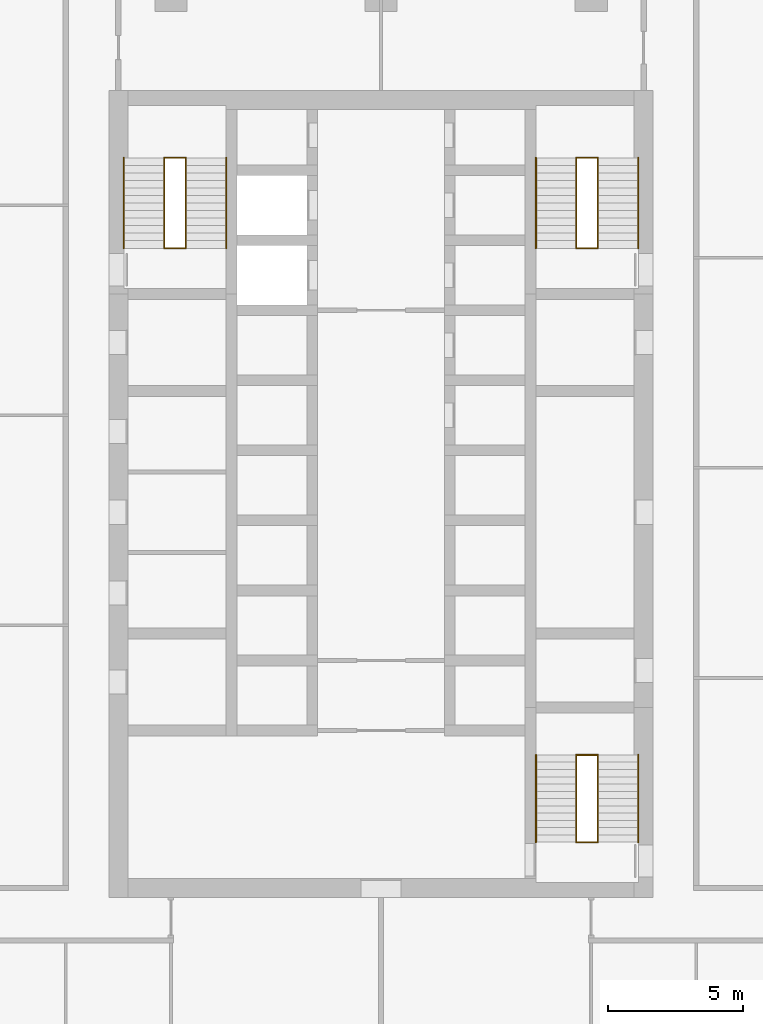
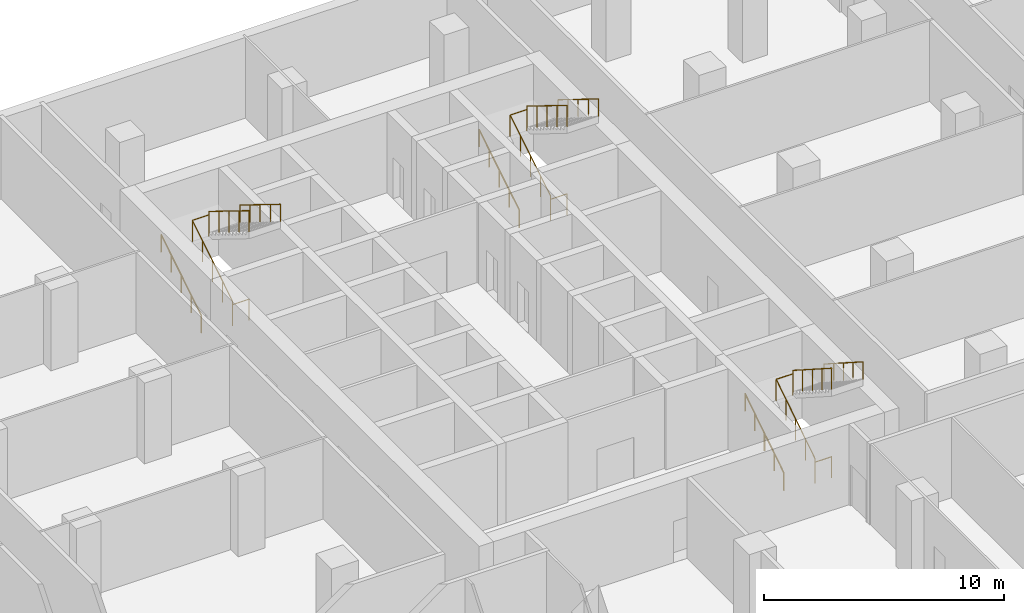
# One storey, part 14 of 14: 18 railings, 3 elements without a shape of their own.
"""IFC4 building model written with IfcOpenShell, lengths in metres."""

from ifc_helpers import new_model, si_unit, direction, frame, origin, origin_2d, place, context, subcontext, project, spatial, circle, extrude, material, type_object, element, aggregate, save


model = new_model("IFC4")

# Units and contexts
model_context = context("Model", 3, precision=1e-05, world=origin(), true_north=direction((0.0, 1.0)))
body_context = subcontext(model_context, "Body", "Model", "MODEL_VIEW")
ifc_project = project(units=[si_unit("LENGTHUNIT", "METRE"), si_unit("AREAUNIT", "SQUARE_METRE"), si_unit("VOLUMEUNIT", "CUBIC_METRE"), si_unit("PLANEANGLEUNIT", "RADIAN"), si_unit("MASSUNIT", "GRAM", prefix="KILO")], contexts=[model_context])

# Site, building, storey
site_placement = place(None, origin())
site = spatial("IfcSite", under=ifc_project, at=site_placement, CompositionType="ELEMENT")
building_placement = place(site_placement, origin())
building = spatial("IfcBuilding", under=site, at=building_placement, Name="Ludao Terraces", CompositionType="ELEMENT")
storey_placement = place(building_placement, frame((0.0, 0.0, -4.5)))
storey = spatial("IfcBuildingStorey", under=building, at=storey_placement, Name="B1", CompositionType="ELEMENT", Elevation=-4.5)

# Stair, railings
ifc_material_1 = material(Name="Concrete C40", Category="concrete")
stair_type = type_object("IfcStairType", Name="INT Stair", PredefinedType="HALF_TURN_STAIR", material=ifc_material_1)
stair_1_placement = place(storey_placement, origin())
stair_1 = element("IfcStair", 1, at=stair_1_placement, inside=storey, type_object=stair_type, Name="EXIT STAIR 1", PredefinedType="HALF_TURN_STAIR")
ifc_material_2 = material(Name="Stainless steel 304", Category="steel")
railing_type_1 = type_object("IfcRailingType", Name="INT Stair guard 1100", PredefinedType="GUARDRAIL", material=ifc_material_2)
railing_1_placement = place(storey_placement, frame((76.949951171875, 79.0, 0.173095703125)))
railing_1 = element("IfcRailing", 2, at=railing_1_placement, type_object=railing_type_1, Name="ST-B1-S1-R1G", PredefinedType="GUARDRAIL", context=body_context, shape_type="SweptSolid", body=[
    extrude(circle(Radius=0.02392578125, at=origin_2d()), frame((0.0, 0.0, 1.076171875), z_axis=(0.0, 0.850623216509, 0.525775754039), x_axis=(-1.0, 0.0, 0.0)), (0.0, 0.0, 1.0), 3.9501953125),
    extrude(circle(Radius=0.02099609375, at=origin_2d()), origin(), (0.0, 0.0, 1.0), 1.052001953125),
    extrude(circle(Radius=0.02099609375, at=origin_2d()), frame((0.0, 0.840087890625, 0.519287109375)), (0.0, 0.0, 1.0), 1.052001953125),
    extrude(circle(Radius=0.02099609375, at=origin_2d()), frame((0.0, 1.68017578125, 1.03857421875)), (0.0, 0.0, 1.0), 1.052001953125),
    extrude(circle(Radius=0.02099609375, at=origin_2d()), frame((0.0, 2.52001953125, 1.5576171875)), (0.0, 0.0, 1.0), 1.052001953125),
    extrude(circle(Radius=0.02099609375, at=origin_2d()), frame((0.0, 3.360107421875, 2.076904296875)), (0.0, 0.0, 1.0), 1.052001953125),
])
railing_2_placement = place(storey_placement, frame((77.75, 82.360107421875, 2.423095703125)))
railing_2 = element("IfcRailing", 3, at=railing_2_placement, type_object=railing_type_1, Name="ST-B1-S1-R2G", PredefinedType="GUARDRAIL", context=body_context, shape_type="SweptSolid", body=[
    extrude(circle(Radius=0.02392578125, at=origin_2d()), frame((0.0, 0.0, 1.076171875), z_axis=(0.0, -0.850623216509, 0.525775754039), x_axis=(1.0, 0.0, 0.0)), (0.0, 0.0, 1.0), 3.9501953125),
    extrude(circle(Radius=0.02099609375, at=origin_2d()), origin(), (0.0, 0.0, 1.0), 1.052001953125),
    extrude(circle(Radius=0.02099609375, at=origin_2d()), frame((0.0, -0.840087890625, 0.519287109375)), (0.0, 0.0, 1.0), 1.052001953125),
    extrude(circle(Radius=0.02099609375, at=origin_2d()), frame((0.0, -1.68017578125, 1.03857421875)), (0.0, 0.0, 1.0), 1.052001953125),
    extrude(circle(Radius=0.02099609375, at=origin_2d()), frame((0.0, -2.52001953125, 1.5576171875)), (0.0, 0.0, 1.0), 1.052001953125),
    extrude(circle(Radius=0.02099609375, at=origin_2d()), frame((0.0, -3.360107421875, 2.076904296875)), (0.0, 0.0, 1.0), 1.052001953125),
])
railing_3_placement = place(storey_placement, frame((76.949951171875, 82.360107421875, 2.25)))
railing_3 = element("IfcRailing", 4, at=railing_3_placement, type_object=railing_type_1, Name="ST-B1-S1-E1G", PredefinedType="GUARDRAIL", context=body_context, shape_type="SweptSolid", body=[
    extrude(circle(Radius=0.02392578125, at=origin_2d()), frame((0.0, 0.0, 1.076171875), z_axis=(1.0, 0.0, 0.0), x_axis=(0.0, 1.0, 0.0)), (0.0, 0.0, 1.0), 0.800048828125),
    extrude(circle(Radius=0.02099609375, at=origin_2d()), origin(), (0.0, 0.0, 1.0), 1.052001953125),
    extrude(circle(Radius=0.02099609375, at=origin_2d()), frame((0.800048828125, 0.0, 0.0)), (0.0, 0.0, 1.0), 1.052001953125),
])
railing_4_placement = place(storey_placement, frame((76.949951171875, 79.0, 0.0)))
railing_4 = element("IfcRailing", 5, at=railing_4_placement, type_object=railing_type_1, Name="ST-B1-S1-E2G", PredefinedType="GUARDRAIL", context=body_context, shape_type="SweptSolid", body=[
    extrude(circle(Radius=0.02392578125, at=origin_2d()), frame((0.0, 0.0, 1.076171875), z_axis=(1.0, 0.0, 0.0), x_axis=(0.0, 1.0, 0.0)), (0.0, 0.0, 1.0), 0.800048828125),
    extrude(circle(Radius=0.02099609375, at=origin_2d()), origin(), (0.0, 0.0, 1.0), 1.052001953125),
    extrude(circle(Radius=0.02099609375, at=origin_2d()), frame((0.800048828125, 0.0, 0.0)), (0.0, 0.0, 1.0), 1.052001953125),
])

stair_2_placement = place(storey_placement, origin())
stair_2 = element("IfcStair", 6, at=stair_2_placement, inside=storey, type_object=stair_type, Name="EXIT STAIR 2", PredefinedType="HALF_TURN_STAIR")
railing_5_placement = place(storey_placement, frame((92.25, 79.0, 0.173095703125)))
railing_5 = element("IfcRailing", 7, at=railing_5_placement, type_object=railing_type_1, Name="ST-B1-S2-R1G", PredefinedType="GUARDRAIL", context=body_context, shape_type="SweptSolid", body=[
    extrude(circle(Radius=0.02392578125, at=origin_2d()), frame((0.0, 0.0, 1.076171875), z_axis=(0.0, 0.850623216509, 0.525775754039), x_axis=(-1.0, 0.0, 0.0)), (0.0, 0.0, 1.0), 3.9501953125),
    extrude(circle(Radius=0.02099609375, at=origin_2d()), origin(), (0.0, 0.0, 1.0), 1.052001953125),
    extrude(circle(Radius=0.02099609375, at=origin_2d()), frame((0.0, 0.840087890625, 0.519287109375)), (0.0, 0.0, 1.0), 1.052001953125),
    extrude(circle(Radius=0.02099609375, at=origin_2d()), frame((0.0, 1.68017578125, 1.03857421875)), (0.0, 0.0, 1.0), 1.052001953125),
    extrude(circle(Radius=0.02099609375, at=origin_2d()), frame((0.0, 2.52001953125, 1.5576171875)), (0.0, 0.0, 1.0), 1.052001953125),
    extrude(circle(Radius=0.02099609375, at=origin_2d()), frame((0.0, 3.360107421875, 2.076904296875)), (0.0, 0.0, 1.0), 1.052001953125),
])
railing_6_placement = place(storey_placement, frame((93.050048828125, 82.360107421875, 2.423095703125)))
railing_6 = element("IfcRailing", 8, at=railing_6_placement, type_object=railing_type_1, Name="ST-B1-S2-R2G", PredefinedType="GUARDRAIL", context=body_context, shape_type="SweptSolid", body=[
    extrude(circle(Radius=0.02392578125, at=origin_2d()), frame((0.0, 0.0, 1.076171875), z_axis=(0.0, -0.850623216509, 0.525775754039), x_axis=(1.0, 0.0, 0.0)), (0.0, 0.0, 1.0), 3.9501953125),
    extrude(circle(Radius=0.02099609375, at=origin_2d()), origin(), (0.0, 0.0, 1.0), 1.052001953125),
    extrude(circle(Radius=0.02099609375, at=origin_2d()), frame((0.0, -0.840087890625, 0.519287109375)), (0.0, 0.0, 1.0), 1.052001953125),
    extrude(circle(Radius=0.02099609375, at=origin_2d()), frame((0.0, -1.68017578125, 1.03857421875)), (0.0, 0.0, 1.0), 1.052001953125),
    extrude(circle(Radius=0.02099609375, at=origin_2d()), frame((0.0, -2.52001953125, 1.5576171875)), (0.0, 0.0, 1.0), 1.052001953125),
    extrude(circle(Radius=0.02099609375, at=origin_2d()), frame((0.0, -3.360107421875, 2.076904296875)), (0.0, 0.0, 1.0), 1.052001953125),
])
railing_7_placement = place(storey_placement, frame((92.25, 82.360107421875, 2.25)))
railing_7 = element("IfcRailing", 9, at=railing_7_placement, type_object=railing_type_1, Name="ST-B1-S2-E1G", PredefinedType="GUARDRAIL", context=body_context, shape_type="SweptSolid", body=[
    extrude(circle(Radius=0.02392578125, at=origin_2d()), frame((0.0, 0.0, 1.076171875), z_axis=(1.0, 0.0, 0.0), x_axis=(0.0, 1.0, 0.0)), (0.0, 0.0, 1.0), 0.800048828125),
    extrude(circle(Radius=0.02099609375, at=origin_2d()), origin(), (0.0, 0.0, 1.0), 1.052001953125),
    extrude(circle(Radius=0.02099609375, at=origin_2d()), frame((0.800048828125, 0.0, 0.0)), (0.0, 0.0, 1.0), 1.052001953125),
])
railing_8_placement = place(storey_placement, frame((92.25, 79.0, 0.0)))
railing_8 = element("IfcRailing", 10, at=railing_8_placement, type_object=railing_type_1, Name="ST-B1-S2-E2G", PredefinedType="GUARDRAIL", context=body_context, shape_type="SweptSolid", body=[
    extrude(circle(Radius=0.02392578125, at=origin_2d()), frame((0.0, 0.0, 1.076171875), z_axis=(1.0, 0.0, 0.0), x_axis=(0.0, 1.0, 0.0)), (0.0, 0.0, 1.0), 0.800048828125),
    extrude(circle(Radius=0.02099609375, at=origin_2d()), origin(), (0.0, 0.0, 1.0), 1.052001953125),
    extrude(circle(Radius=0.02099609375, at=origin_2d()), frame((0.800048828125, 0.0, 0.0)), (0.0, 0.0, 1.0), 1.052001953125),
])

stair_3_placement = place(storey_placement, origin())
stair_3 = element("IfcStair", 11, at=stair_3_placement, inside=storey, type_object=stair_type, Name="EXIT STAIR 3", PredefinedType="HALF_TURN_STAIR")
railing_9_placement = place(storey_placement, frame((92.25, 56.949951171875, 0.173095703125)))
railing_9 = element("IfcRailing", 12, at=railing_9_placement, type_object=railing_type_1, Name="ST-B1-S3-R1G", PredefinedType="GUARDRAIL", context=body_context, shape_type="SweptSolid", body=[
    extrude(circle(Radius=0.02392578125, at=origin_2d()), frame((0.0, 0.0, 1.076171875), z_axis=(0.0, 0.841880617004, 0.539663808971), x_axis=(-1.0, 0.0, 0.0)), (0.0, 0.0, 1.0), 3.8486328125),
    extrude(circle(Radius=0.02099609375, at=origin_2d()), origin(), (0.0, 0.0, 1.0), 1.052001953125),
    extrude(circle(Radius=0.02099609375, at=origin_2d()), frame((0.0, 0.81005859375, 0.519287109375)), (0.0, 0.0, 1.0), 1.052001953125),
    extrude(circle(Radius=0.02099609375, at=origin_2d()), frame((0.0, 1.6201171875, 1.03857421875)), (0.0, 0.0, 1.0), 1.052001953125),
    extrude(circle(Radius=0.02099609375, at=origin_2d()), frame((0.0, 2.429931640625, 1.5576171875)), (0.0, 0.0, 1.0), 1.052001953125),
    extrude(circle(Radius=0.02099609375, at=origin_2d()), frame((0.0, 3.239990234375, 2.076904296875)), (0.0, 0.0, 1.0), 1.052001953125),
])
railing_10_placement = place(storey_placement, frame((93.050048828125, 60.18994140625, 2.423095703125)))
railing_10 = element("IfcRailing", 13, at=railing_10_placement, type_object=railing_type_1, Name="ST-B1-S3-R2G", PredefinedType="GUARDRAIL", context=body_context, shape_type="SweptSolid", body=[
    extrude(circle(Radius=0.02392578125, at=origin_2d()), frame((0.0, 0.0, 1.076171875), z_axis=(0.0, -0.841880617004, 0.539663808971), x_axis=(1.0, 0.0, 0.0)), (0.0, 0.0, 1.0), 3.8486328125),
    extrude(circle(Radius=0.02099609375, at=origin_2d()), origin(), (0.0, 0.0, 1.0), 1.052001953125),
    extrude(circle(Radius=0.02099609375, at=origin_2d()), frame((0.0, -0.81005859375, 0.519287109375)), (0.0, 0.0, 1.0), 1.052001953125),
    extrude(circle(Radius=0.02099609375, at=origin_2d()), frame((0.0, -1.6201171875, 1.03857421875)), (0.0, 0.0, 1.0), 1.052001953125),
    extrude(circle(Radius=0.02099609375, at=origin_2d()), frame((0.0, -2.429931640625, 1.5576171875)), (0.0, 0.0, 1.0), 1.052001953125),
    extrude(circle(Radius=0.02099609375, at=origin_2d()), frame((0.0, -3.239990234375, 2.076904296875)), (0.0, 0.0, 1.0), 1.052001953125),
])
railing_11_placement = place(storey_placement, frame((92.25, 60.18994140625, 2.25)))
railing_11 = element("IfcRailing", 14, at=railing_11_placement, type_object=railing_type_1, Name="ST-B1-S3-E1G", PredefinedType="GUARDRAIL", context=body_context, shape_type="SweptSolid", body=[
    extrude(circle(Radius=0.02392578125, at=origin_2d()), frame((0.0, 0.0, 1.076171875), z_axis=(1.0, 0.0, 0.0), x_axis=(0.0, 1.0, 0.0)), (0.0, 0.0, 1.0), 0.800048828125),
    extrude(circle(Radius=0.02099609375, at=origin_2d()), origin(), (0.0, 0.0, 1.0), 1.052001953125),
    extrude(circle(Radius=0.02099609375, at=origin_2d()), frame((0.800048828125, 0.0, 0.0)), (0.0, 0.0, 1.0), 1.052001953125),
])
railing_12_placement = place(storey_placement, frame((92.25, 56.949951171875, 0.0)))
railing_12 = element("IfcRailing", 15, at=railing_12_placement, type_object=railing_type_1, Name="ST-B1-S3-E2G", PredefinedType="GUARDRAIL", context=body_context, shape_type="SweptSolid", body=[
    extrude(circle(Radius=0.02392578125, at=origin_2d()), frame((0.0, 0.0, 1.076171875), z_axis=(1.0, 0.0, 0.0), x_axis=(0.0, 1.0, 0.0)), (0.0, 0.0, 1.0), 0.800048828125),
    extrude(circle(Radius=0.02099609375, at=origin_2d()), origin(), (0.0, 0.0, 1.0), 1.052001953125),
    extrude(circle(Radius=0.02099609375, at=origin_2d()), frame((0.800048828125, 0.0, 0.0)), (0.0, 0.0, 1.0), 1.052001953125),
])

# Railing
railing_type_2 = type_object("IfcRailingType", Name="INT Stair handrail 900", PredefinedType="HANDRAIL", material=ifc_material_2)
railing_13_placement = place(storey_placement, frame((75.449951171875, 79.0, 0.173095703125)))
railing_13 = element("IfcRailing", 16, at=railing_13_placement, type_object=railing_type_2, Name="ST-B1-S1-R1H", PredefinedType="HANDRAIL", context=body_context, shape_type="SweptSolid", body=[
    extrude(circle(Radius=0.02392578125, at=origin_2d()), frame((0.0, 0.0, 0.8759765625), z_axis=(0.0, 0.850623216509, 0.525775754039), x_axis=(-1.0, 0.0, 0.0)), (0.0, 0.0, 1.0), 3.9501953125),
    extrude(circle(Radius=0.02099609375, at=origin_2d()), origin(), (0.0, 0.0, 1.0), 0.851806640625),
    extrude(circle(Radius=0.02099609375, at=origin_2d()), frame((0.0, 0.840087890625, 0.519287109375)), (0.0, 0.0, 1.0), 0.851806640625),
    extrude(circle(Radius=0.02099609375, at=origin_2d()), frame((0.0, 1.68017578125, 1.03857421875)), (0.0, 0.0, 1.0), 0.851806640625),
    extrude(circle(Radius=0.02099609375, at=origin_2d()), frame((0.0, 2.52001953125, 1.5576171875)), (0.0, 0.0, 1.0), 0.851806640625),
    extrude(circle(Radius=0.02099609375, at=origin_2d()), frame((0.0, 3.360107421875, 2.076904296875)), (0.0, 0.0, 1.0), 0.851806640625),
])

railing_14_placement = place(storey_placement, frame((79.25, 82.360107421875, 2.423095703125)))
railing_14 = element("IfcRailing", 17, at=railing_14_placement, type_object=railing_type_2, Name="ST-B1-S1-R2H", PredefinedType="HANDRAIL", context=body_context, shape_type="SweptSolid", body=[
    extrude(circle(Radius=0.02392578125, at=origin_2d()), frame((0.0, 0.0, 0.8759765625), z_axis=(0.0, -0.850623216509, 0.525775754039), x_axis=(1.0, 0.0, 0.0)), (0.0, 0.0, 1.0), 3.9501953125),
    extrude(circle(Radius=0.02099609375, at=origin_2d()), origin(), (0.0, 0.0, 1.0), 0.851806640625),
    extrude(circle(Radius=0.02099609375, at=origin_2d()), frame((0.0, -0.840087890625, 0.519287109375)), (0.0, 0.0, 1.0), 0.851806640625),
    extrude(circle(Radius=0.02099609375, at=origin_2d()), frame((0.0, -1.68017578125, 1.03857421875)), (0.0, 0.0, 1.0), 0.851806640625),
    extrude(circle(Radius=0.02099609375, at=origin_2d()), frame((0.0, -2.52001953125, 1.5576171875)), (0.0, 0.0, 1.0), 0.851806640625),
    extrude(circle(Radius=0.02099609375, at=origin_2d()), frame((0.0, -3.360107421875, 2.076904296875)), (0.0, 0.0, 1.0), 0.851806640625),
])

aggregate(stair_1, [railing_1, railing_13, railing_2, railing_14, railing_3, railing_4])

railing_15_placement = place(storey_placement, frame((90.75, 79.0, 0.173095703125)))
railing_15 = element("IfcRailing", 18, at=railing_15_placement, type_object=railing_type_2, Name="ST-B1-S2-R1H", PredefinedType="HANDRAIL", context=body_context, shape_type="SweptSolid", body=[
    extrude(circle(Radius=0.02392578125, at=origin_2d()), frame((0.0, 0.0, 0.8759765625), z_axis=(0.0, 0.850623216509, 0.525775754039), x_axis=(-1.0, 0.0, 0.0)), (0.0, 0.0, 1.0), 3.9501953125),
    extrude(circle(Radius=0.02099609375, at=origin_2d()), origin(), (0.0, 0.0, 1.0), 0.851806640625),
    extrude(circle(Radius=0.02099609375, at=origin_2d()), frame((0.0, 0.840087890625, 0.519287109375)), (0.0, 0.0, 1.0), 0.851806640625),
    extrude(circle(Radius=0.02099609375, at=origin_2d()), frame((0.0, 1.68017578125, 1.03857421875)), (0.0, 0.0, 1.0), 0.851806640625),
    extrude(circle(Radius=0.02099609375, at=origin_2d()), frame((0.0, 2.52001953125, 1.5576171875)), (0.0, 0.0, 1.0), 0.851806640625),
    extrude(circle(Radius=0.02099609375, at=origin_2d()), frame((0.0, 3.360107421875, 2.076904296875)), (0.0, 0.0, 1.0), 0.851806640625),
])

railing_16_placement = place(storey_placement, frame((94.550048828125, 82.360107421875, 2.423095703125)))
railing_16 = element("IfcRailing", 19, at=railing_16_placement, type_object=railing_type_2, Name="ST-B1-S2-R2H", PredefinedType="HANDRAIL", context=body_context, shape_type="SweptSolid", body=[
    extrude(circle(Radius=0.02392578125, at=origin_2d()), frame((0.0, 0.0, 0.8759765625), z_axis=(0.0, -0.850623216509, 0.525775754039), x_axis=(1.0, 0.0, 0.0)), (0.0, 0.0, 1.0), 3.9501953125),
    extrude(circle(Radius=0.02099609375, at=origin_2d()), origin(), (0.0, 0.0, 1.0), 0.851806640625),
    extrude(circle(Radius=0.02099609375, at=origin_2d()), frame((0.0, -0.840087890625, 0.519287109375)), (0.0, 0.0, 1.0), 0.851806640625),
    extrude(circle(Radius=0.02099609375, at=origin_2d()), frame((0.0, -1.68017578125, 1.03857421875)), (0.0, 0.0, 1.0), 0.851806640625),
    extrude(circle(Radius=0.02099609375, at=origin_2d()), frame((0.0, -2.52001953125, 1.5576171875)), (0.0, 0.0, 1.0), 0.851806640625),
    extrude(circle(Radius=0.02099609375, at=origin_2d()), frame((0.0, -3.360107421875, 2.076904296875)), (0.0, 0.0, 1.0), 0.851806640625),
])

aggregate(stair_2, [railing_5, railing_15, railing_6, railing_16, railing_7, railing_8])

railing_17_placement = place(storey_placement, frame((90.75, 56.949951171875, 0.173095703125)))
railing_17 = element("IfcRailing", 20, at=railing_17_placement, type_object=railing_type_2, Name="ST-B1-S3-R1H", PredefinedType="HANDRAIL", context=body_context, shape_type="SweptSolid", body=[
    extrude(circle(Radius=0.02392578125, at=origin_2d()), frame((0.0, 0.0, 0.8759765625), z_axis=(0.0, 0.841880617004, 0.539663808971), x_axis=(-1.0, 0.0, 0.0)), (0.0, 0.0, 1.0), 3.8486328125),
    extrude(circle(Radius=0.02099609375, at=origin_2d()), origin(), (0.0, 0.0, 1.0), 0.851806640625),
    extrude(circle(Radius=0.02099609375, at=origin_2d()), frame((0.0, 0.81005859375, 0.519287109375)), (0.0, 0.0, 1.0), 0.851806640625),
    extrude(circle(Radius=0.02099609375, at=origin_2d()), frame((0.0, 1.6201171875, 1.03857421875)), (0.0, 0.0, 1.0), 0.851806640625),
    extrude(circle(Radius=0.02099609375, at=origin_2d()), frame((0.0, 2.429931640625, 1.5576171875)), (0.0, 0.0, 1.0), 0.851806640625),
    extrude(circle(Radius=0.02099609375, at=origin_2d()), frame((0.0, 3.239990234375, 2.076904296875)), (0.0, 0.0, 1.0), 0.851806640625),
])

railing_18_placement = place(storey_placement, frame((94.550048828125, 60.18994140625, 2.423095703125)))
railing_18 = element("IfcRailing", 21, at=railing_18_placement, type_object=railing_type_2, Name="ST-B1-S3-R2H", PredefinedType="HANDRAIL", context=body_context, shape_type="SweptSolid", body=[
    extrude(circle(Radius=0.02392578125, at=origin_2d()), frame((0.0, 0.0, 0.8759765625), z_axis=(0.0, -0.841880617004, 0.539663808971), x_axis=(1.0, 0.0, 0.0)), (0.0, 0.0, 1.0), 3.8486328125),
    extrude(circle(Radius=0.02099609375, at=origin_2d()), origin(), (0.0, 0.0, 1.0), 0.851806640625),
    extrude(circle(Radius=0.02099609375, at=origin_2d()), frame((0.0, -0.81005859375, 0.519287109375)), (0.0, 0.0, 1.0), 0.851806640625),
    extrude(circle(Radius=0.02099609375, at=origin_2d()), frame((0.0, -1.6201171875, 1.03857421875)), (0.0, 0.0, 1.0), 0.851806640625),
    extrude(circle(Radius=0.02099609375, at=origin_2d()), frame((0.0, -2.429931640625, 1.5576171875)), (0.0, 0.0, 1.0), 0.851806640625),
    extrude(circle(Radius=0.02099609375, at=origin_2d()), frame((0.0, -3.239990234375, 2.076904296875)), (0.0, 0.0, 1.0), 0.851806640625),
])

aggregate(stair_3, [railing_9, railing_17, railing_10, railing_18, railing_11, railing_12])

save(model, "model.ifc")
